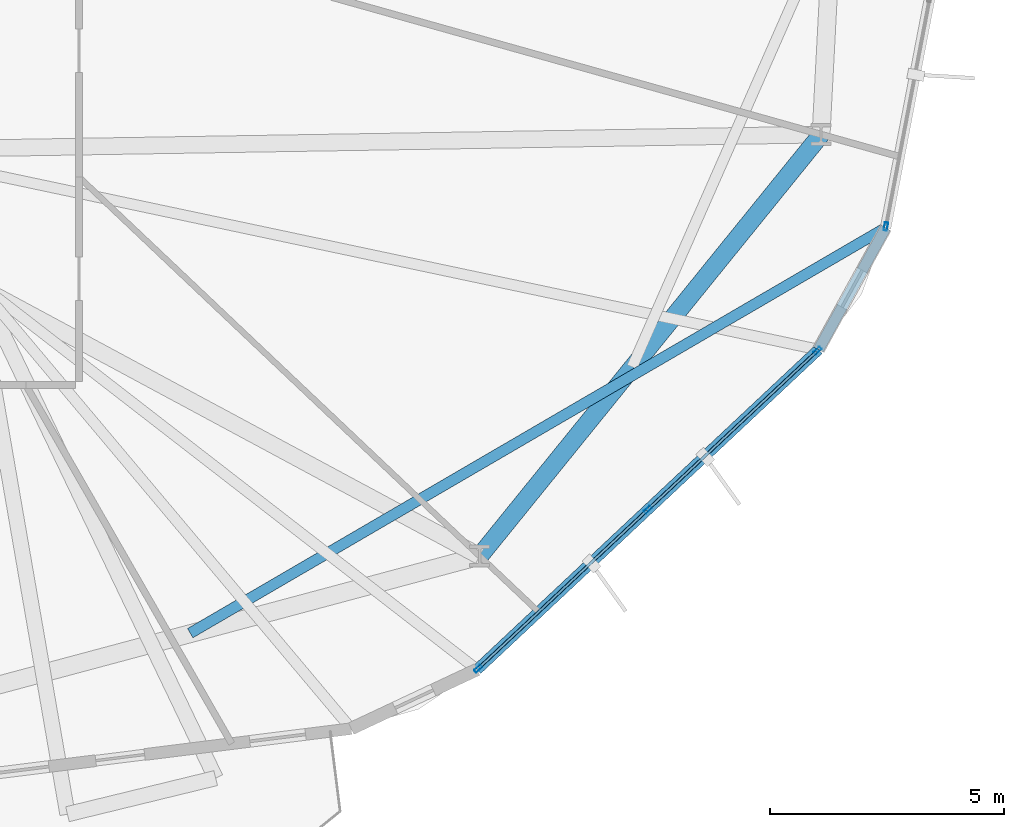
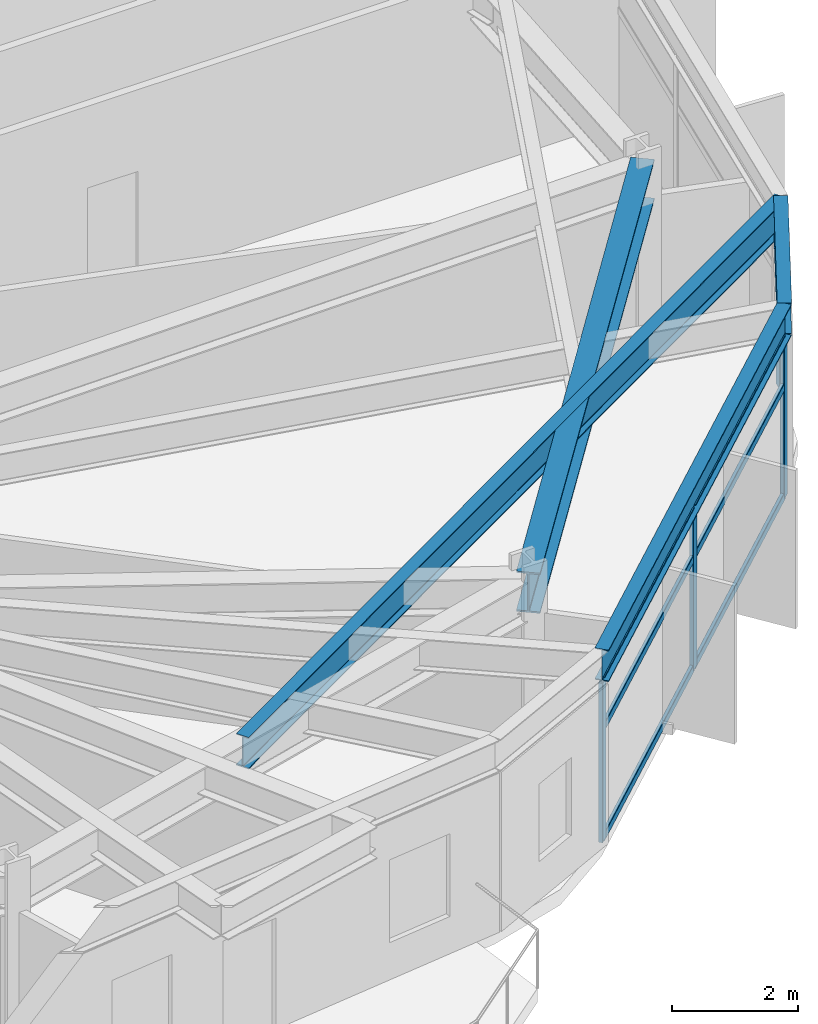
# One storey, part 8 of 22: 10 members, 4 beams, 2 elements without a shape of their own.
"""IFC4 building model written with IfcOpenShell, lengths in metres."""

import ifcopenshell
import ifcopenshell.guid

model = None  # the IFC model being written
_history = None  # IfcOwnerHistory: only IFC2X3 demands one
_inside = {}  # id of a spatial element -> (the spatial element, [elements in it])
_under = {}  # id of a project, library or spatial element -> (it, [spatial elements below it])
_declared = {}  # id of a project -> (the project, [libraries it declares])
_typed = {}  # id of a type object -> (the type object, [elements of that type])
_made_of = {}  # id of a material, layer set ... -> (it, [elements and type objects made of it])


def new_model(schema):
    """Start an empty IFC model of exactly this schema.

    Asked for "IFC4X3", IfcOpenShell would pick the latest addendum, in which some entities
    have other attributes; the version numbers below select the first issue.
    IFC2X3 requires an IfcOwnerHistory on every rooted entity: one is made here for all.
    """
    global model, _history
    if schema == "IFC4X3":
        model = ifcopenshell.file(schema_version=(4, 3, 0, 0))
    else:
        model = ifcopenshell.file(schema=schema)
    _inside.clear()
    _under.clear()
    _declared.clear()
    _typed.clear()
    _made_of.clear()
    _history = None
    if model.schema == "IFC2X3":
        org = make("IfcOrganization", Name="unknown")
        user = make(
            "IfcPersonAndOrganization",
            ThePerson=make("IfcPerson", FamilyName="unknown"),
            TheOrganization=org,
        )
        app = make(
            "IfcApplication",
            ApplicationDeveloper=org,
            Version="unknown",
            ApplicationFullName="unknown",
            ApplicationIdentifier="unknown",
        )
        _history = make(
            "IfcOwnerHistory",
            OwningUser=user,
            OwningApplication=app,
            ChangeAction="ADDED",
            CreationDate=0,
        )
    return model


def make(cls, **values):
    """One entity of the class cls with the attributes given. An attribute that is None is left unset."""
    return model.create_entity(
        cls, **{name: value for name, value in values.items() if value is not None}
    )


def rooted(cls, **values):
    """An entity with a GlobalId (a new one), such as an element, a storey or a relation."""
    return make(cls, GlobalId=ifcopenshell.guid.new(), OwnerHistory=_history, **values)


def si_unit(unit_type, name, prefix=None):
    """IfcSIUnit, for example si_unit("LENGTHUNIT", "METRE", prefix="MILLI")."""
    return make("IfcSIUnit", UnitType=unit_type, Prefix=prefix, Name=name)


def assignment(units):
    """IfcUnitAssignment: the units of a project."""
    return None if units is None else make("IfcUnitAssignment", Units=units)


def point(xyz):
    """IfcCartesianPoint."""
    return None if xyz is None else make("IfcCartesianPoint", Coordinates=xyz)


def direction(xyz):
    """IfcDirection."""
    return None if xyz is None else make("IfcDirection", DirectionRatios=xyz)


def frame(location, z_axis=None, x_axis=None):
    """IfcAxis2Placement3D, a coordinate frame: its origin and axes. An axis left out is left unset."""
    return make(
        "IfcAxis2Placement3D",
        Location=point(location),
        Axis=direction(z_axis),
        RefDirection=direction(x_axis),
    )


def frame_2d(location, x_axis=None):
    """IfcAxis2Placement2D, a coordinate frame in the plane: its origin and x axis."""
    return make(
        "IfcAxis2Placement2D", Location=point(location), RefDirection=direction(x_axis)
    )


def origin():
    """The frame at (0, 0, 0) with its axes left unset."""
    return frame((0.0, 0.0, 0.0))


def origin_2d():
    """The frame at (0, 0) in the plane with its x axis left unset."""
    return frame_2d((0.0, 0.0))


def place(relative_to, where):
    """IfcLocalPlacement: puts the frame where relative to a parent placement (None: the world)."""
    return make(
        "IfcLocalPlacement", PlacementRelTo=relative_to, RelativePlacement=where
    )


def context(
    kind, dimensions, precision=None, world=None, true_north=None, identifier=None
):
    """IfcGeometricRepresentationContext, for example the 3D "Model" context."""
    return make(
        "IfcGeometricRepresentationContext",
        ContextIdentifier=identifier,
        ContextType=kind,
        CoordinateSpaceDimension=dimensions,
        Precision=precision,
        WorldCoordinateSystem=world,
        TrueNorth=true_north,
    )


def subcontext(parent, identifier, kind, view, scale=None):
    """IfcGeometricRepresentationSubContext, for example "Body" below "Model"."""
    return make(
        "IfcGeometricRepresentationSubContext",
        ContextIdentifier=identifier,
        ContextType=kind,
        ParentContext=parent,
        TargetScale=scale,
        TargetView=view,
    )


def project(units=None, contexts=None):
    """IfcProject with its units and contexts."""
    return rooted(
        "IfcProject",
        Name="project",
        RepresentationContexts=contexts,
        UnitsInContext=assignment(units),
    )


def spatial(cls, under=None, at=None, **own):
    """A site, building, storey or space (cls), placed at a placement, below another one or the project."""
    s = rooted(cls, ObjectPlacement=at, **own)
    if under is not None:
        _under.setdefault(under.id(), (under, []))[1].append(s)
    return s


def profile(cls, at=None, kind="AREA", **sizes):
    """A parametric profile (cls). Its sizes go by their IFC names, for example OverallWidth=200.0."""
    return make(cls, ProfileType=kind, Position=at, **sizes)


def hollow_rectangle(**sizes):
    """IfcRectangleHollowProfileDef."""
    return profile("IfcRectangleHollowProfileDef", **sizes)


def i_section(**sizes):
    """IfcIShapeProfileDef."""
    return profile("IfcIShapeProfileDef", **sizes)


def extrude(swept, where, along, depth):
    """IfcExtrudedAreaSolid: the profile swept, set in the frame where, extruded along a direction by depth."""
    return make(
        "IfcExtrudedAreaSolid",
        SweptArea=swept,
        Position=where,
        ExtrudedDirection=direction(along),
        Depth=depth,
    )


def shape(context_of_items, identifier, shape_type, items):
    """IfcShapeRepresentation: the items that make up one representation, for example the "Body"."""
    return make(
        "IfcShapeRepresentation",
        ContextOfItems=context_of_items,
        RepresentationIdentifier=identifier,
        RepresentationType=shape_type,
        Items=items,
    )


def material(Name=None, Category=None):
    """IfcMaterial."""
    return make("IfcMaterial", Name=Name, Category=Category)


def layer(
    of_material, thickness, ventilated=None, Name=None, Category=None, Priority=None
):
    """IfcMaterialLayer: one layer of a wall or slab, of a material (None: an air gap)."""
    return make(
        "IfcMaterialLayer",
        Material=of_material,
        LayerThickness=thickness,
        IsVentilated=ventilated,
        Name=Name,
        Category=Category,
        Priority=Priority,
    )


def layer_set(layers, Name=None):
    """IfcMaterialLayerSet."""
    return make("IfcMaterialLayerSet", MaterialLayers=layers, LayerSetName=Name)


def material_profile(
    of_material, cross_section, Name=None, Category=None, Priority=None
):
    """IfcMaterialProfile: a cross section and its material."""
    return make(
        "IfcMaterialProfile",
        Name=Name,
        Material=of_material,
        Profile=cross_section,
        Priority=Priority,
        Category=Category,
    )


def profile_set(profiles, Name=None, composite=None):
    """IfcMaterialProfileSet."""
    return make(
        "IfcMaterialProfileSet",
        Name=Name,
        MaterialProfiles=profiles,
        CompositeProfile=composite,
    )


def made_of(thing, what):
    """Note that an element or type object is made of a material, layer set ...; save() writes the relation."""
    if what is not None:
        _made_of.setdefault(what.id(), (what, []))[1].append(thing)
    return thing


def type_object(cls, material=None, **own):
    """A type object (cls), such as IfcWallType, which elements share."""
    return made_of(rooted(cls, **own), material)


def element(
    cls,
    number,
    at=None,
    inside=None,
    cuts=None,
    type_object=None,
    material=None,
    context=None,
    identifier="Body",
    shape_type=None,
    held_by="IfcProductDefinitionShape",
    body=None,
    shapes=None,
    **own,
):
    """One element of the class cls, such as IfcWall. Its Tag is "e" and its number.

    at: its placement. inside: the storey or other place that contains it. cuts: it is an
    opening in that element (IfcRelVoidsElement). A single representation is given by context,
    identifier, shape_type and body (its items); several are given by shapes. held_by: the class
    of the entity that holds the representations. save() writes the other relations.
    """
    e = rooted(cls, Tag="e%d" % number, ObjectPlacement=at, **own)
    if body is not None:
        shapes = [shape(context, identifier, shape_type, body)]
    if shapes is not None:
        e.Representation = make(held_by, Representations=shapes)
    if inside is not None:
        _inside.setdefault(inside.id(), (inside, []))[1].append(e)
    if cuts is not None:
        rooted(
            "IfcRelVoidsElement", RelatingBuildingElement=cuts, RelatedOpeningElement=e
        )
    if type_object is not None:
        _typed.setdefault(type_object.id(), (type_object, []))[1].append(e)
    return made_of(e, material)


def aggregate(whole, parts):
    """IfcRelAggregates: a whole, such as a stair, and the parts it consists of."""
    return rooted("IfcRelAggregates", RelatingObject=whole, RelatedObjects=parts)


def save(model, path):
    """Write the relations noted so far, then the file.

    IfcRelAggregates (storeys below a building ...), IfcRelContainedInSpatialStructure (elements
    in a storey), IfcRelDefinesByType, IfcRelAssociatesMaterial and IfcRelDeclares: one each for
    every whole, place, type object, material and project.
    """
    for whole, parts in _under.values():
        aggregate(whole, parts)
    for where, things in _inside.values():
        rooted(
            "IfcRelContainedInSpatialStructure",
            RelatedElements=things,
            RelatingStructure=where,
        )
    for kind, things in _typed.values():
        rooted("IfcRelDefinesByType", RelatedObjects=things, RelatingType=kind)
    for what, things in _made_of.values():
        rooted("IfcRelAssociatesMaterial", RelatedObjects=things, RelatingMaterial=what)
    for by, libraries in _declared.values():
        rooted("IfcRelDeclares", RelatingContext=by, RelatedDefinitions=libraries)
    model.write(path)


model = new_model("IFC4")

# Units and contexts
model_context = context("Model", 3, precision=1e-05, world=origin(), true_north=direction((0.0, 1.0)))
body_context = subcontext(model_context, "Body", "Model", "MODEL_VIEW")
ifc_project = project(units=[si_unit("LENGTHUNIT", "METRE"), si_unit("AREAUNIT", "SQUARE_METRE"), si_unit("VOLUMEUNIT", "CUBIC_METRE"), si_unit("PLANEANGLEUNIT", "RADIAN"), si_unit("MASSUNIT", "GRAM", prefix="KILO")], contexts=[model_context])

# Site, building, storey
site_placement = place(None, origin())
site = spatial("IfcSite", under=ifc_project, at=site_placement, CompositionType="ELEMENT")
building_placement = place(site_placement, origin())
building = spatial("IfcBuilding", under=site, at=building_placement, Name="Soratama Intermodal Tower", CompositionType="ELEMENT")
storey_placement = place(building_placement, frame((0.0, 0.0, 54.60009765625)))
storey = spatial("IfcBuildingStorey", under=building, at=storey_placement, Name="L12", CompositionType="ELEMENT", Elevation=54.60009765625)

# Beams
ifc_material_1 = material(Name="Structural steel ASTM A992 Grade 50", Category="steel")
ifc_material_profile_1 = material_profile(ifc_material_1, i_section(OverallWidth=0.382080078125, OverallDepth=0.779052734375, WebThickness=0.01806640625, FlangeThickness=0.030029296875, FilletRadius=0.01806640625, at=origin_2d()), Name="W30X191")
ifc_profile_set_1 = profile_set([ifc_material_profile_1], Name="Structural steel ASTM A992 Grade 50")
beam_type_1 = type_object("IfcBeamType", Name="BM-RING-W30X191", PredefinedType="BEAM", material=ifc_profile_set_1)
beam_1_placement = place(storey_placement, frame((55.196044921875, 9.300048828125, 3.310302734375), z_axis=(0.629334198857, 0.777134779912, 0.0), x_axis=(-0.777134779912, 0.629334198857, 0.0)))
element("IfcBeam", 1, at=beam_1_placement, inside=storey, type_object=beam_type_1, Name="BM-L12-RING-09", PredefinedType="BEAM", context=body_context, shape_type="SweptSolid", body=[
    extrude(i_section(OverallWidth=0.382080078125, OverallDepth=0.779052734375, WebThickness=0.01806640625, FlangeThickness=0.030029296875, FilletRadius=0.01806640625, at=origin_2d()), origin(), (0.0, 0.0, 1.0), 11.5693359375),
])
ifc_material_2 = material(Name="Structural steel ASTM A992 Grade 50", Category="steel")
ifc_material_profile_2 = material_profile(ifc_material_2, i_section(OverallWidth=0.22900390625, OverallDepth=0.612060546875, WebThickness=0.011962890625, FlangeThickness=0.01953125, FilletRadius=0.012939453125, at=origin_2d()), Name="W24X84")
ifc_profile_set_2 = profile_set([ifc_material_profile_2], Name="Structural steel ASTM A992 Grade 50")
beam_type_2 = type_object("IfcBeamType", Name="BM-SPN-W24X84", PredefinedType="SPANDREL", material=ifc_profile_set_2)
beam_2_placement = place(storey_placement, frame((55.14208984375, 6.8798828125, 3.393798828125), z_axis=(0.729623411205, 0.683849163062, 0.0), x_axis=(-0.683849163062, 0.729623411205, 0.0)))
element("IfcBeam", 2, at=beam_2_placement, inside=storey, type_object=beam_type_2, Name="BS-L12-F09", PredefinedType="SPANDREL", context=body_context, shape_type="SweptSolid", body=[
    extrude(i_section(OverallWidth=0.22900390625, OverallDepth=0.612060546875, WebThickness=0.011962890625, FlangeThickness=0.01953125, FilletRadius=0.012939453125, at=origin_2d()), origin(), (0.0, 0.0, 1.0), 9.979248046875),
])
beam_3_placement = place(storey_placement, frame((62.423095703125, 13.7041015625, 3.393798828125), z_axis=(0.482705249148, 0.87578287403, 0.0), x_axis=(-0.87578287403, 0.482705249148, 0.0)))
element("IfcBeam", 3, at=beam_3_placement, inside=storey, type_object=beam_type_2, Name="BS-L12-CRN09", PredefinedType="SPANDREL", context=body_context, shape_type="SweptSolid", body=[
    extrude(i_section(OverallWidth=0.22900390625, OverallDepth=0.612060546875, WebThickness=0.011962890625, FlangeThickness=0.01953125, FilletRadius=0.012939453125, at=origin_2d()), origin(), (0.0, 0.0, 1.0), 2.96630859375),
])
ifc_material_3 = material(Name="Structural steel ASTM A992 Grade 50", Category="steel")
ifc_material_profile_3 = material_profile(ifc_material_3, i_section(OverallWidth=0.22900390625, OverallDepth=0.612060546875, WebThickness=0.011962890625, FlangeThickness=0.01953125, FilletRadius=0.012939453125, at=origin_2d()), Name="W24X84")
ifc_profile_set_3 = profile_set([ifc_material_profile_3], Name="Structural steel ASTM A992 Grade 50")
beam_type_3 = type_object("IfcBeamType", Name="BM-TIE-W24X84", PredefinedType="BEAM", material=ifc_profile_set_3)
beam_4_placement = place(storey_placement, frame((49.02294921875, 7.656982421875, 3.393798828125), z_axis=(0.863956278695, 0.503566826254, 0.0), x_axis=(-0.503566826254, 0.863956278695, 0.0)))
element("IfcBeam", 4, at=beam_4_placement, inside=storey, type_object=beam_type_3, Name="BM-L12-TIE0-10", PredefinedType="BEAM", context=body_context, shape_type="SweptSolid", body=[
    extrude(i_section(OverallWidth=0.22900390625, OverallDepth=0.612060546875, WebThickness=0.011962890625, FlangeThickness=0.01953125, FilletRadius=0.012939453125, at=origin_2d()), origin(), (0.0, 0.0, 1.0), 17.16748046875),
])

# Curtain wall, members
ifc_material_4 = material(Name="Double-glazed aluminium curtain wall", Category="aluminium")
ifc_layer = layer(ifc_material_4, 0.159912109375)
ifc_layer_set = layer_set([ifc_layer], Name="Double-glazed aluminium curtain wall")
curtain_wall_type = type_object("IfcCurtainWallType", Name="CW-SYS-2", PredefinedType="NOTDEFINED", material=ifc_layer_set)
curtain_wall_1_placement = place(storey_placement, origin())
curtain_wall_1 = element("IfcCurtainWall", 5, at=curtain_wall_1_placement, inside=storey, type_object=curtain_wall_type, Name="L12 Faceted Curtain Wall F09", PredefinedType="NOTDEFINED")
ifc_material_5 = material(Name="Anodised aluminium AA 6063-T6", Category="aluminium")
ifc_material_profile_4 = material_profile(ifc_material_5, hollow_rectangle(XDim=0.074951171875, YDim=0.179931640625, WallThickness=0.006103515625, InnerFilletRadius=0.006103515625, OuterFilletRadius=0.011962890625, at=origin_2d()), Name="CWM180X75X6")
ifc_profile_set_4 = profile_set([ifc_material_profile_4], Name="Anodised aluminium AA 6063-T6")
member_type_1 = type_object("IfcMemberType", Name="MT-CWM-2", PredefinedType="MULLION", material=ifc_profile_set_4)
member_1_placement = place(storey_placement, frame((55.16357421875, 6.901123046875, 0.0), z_axis=(0.0, 0.0, 1.0), x_axis=(-0.683786445745, 0.729682188775, 0.0)))
member_1 = element("IfcMember", 6, at=member_1_placement, type_object=member_type_1, Name="CW-2 mullion 1", PredefinedType="MULLION", context=body_context, shape_type="SweptSolid", body=[
    extrude(hollow_rectangle(XDim=0.074951171875, YDim=0.179931640625, WallThickness=0.006103515625, InnerFilletRadius=0.006103515625, OuterFilletRadius=0.011962890625, at=origin_2d()), origin(), (0.0, 0.0, 1.0), 3.078857421875),
])
member_2_placement = place(storey_placement, frame((58.782470703125, 10.292236328125, 0.0), z_axis=(0.0, 0.0, 1.0), x_axis=(-0.683786445745, 0.729682188775, 0.0)))
member_2 = element("IfcMember", 7, at=member_2_placement, type_object=member_type_1, Name="CW-2 mullion 2", PredefinedType="MULLION", context=body_context, shape_type="SweptSolid", body=[
    extrude(hollow_rectangle(XDim=0.074951171875, YDim=0.179931640625, WallThickness=0.006103515625, InnerFilletRadius=0.006103515625, OuterFilletRadius=0.011962890625, at=origin_2d()), origin(), (0.0, 0.0, 1.0), 3.078857421875),
])
member_3_placement = place(storey_placement, frame((62.4013671875, 13.68359375, 0.0), z_axis=(0.0, 0.0, 1.0), x_axis=(-0.683786445745, 0.729682188775, 0.0)))
member_3 = element("IfcMember", 8, at=member_3_placement, type_object=member_type_1, Name="CW-2 mullion 3", PredefinedType="MULLION", context=body_context, shape_type="SweptSolid", body=[
    extrude(hollow_rectangle(XDim=0.074951171875, YDim=0.179931640625, WallThickness=0.006103515625, InnerFilletRadius=0.006103515625, OuterFilletRadius=0.011962890625, at=origin_2d()), origin(), (0.0, 0.0, 1.0), 3.078857421875),
])

# Curtain wall, member
curtain_wall_2_placement = place(storey_placement, origin())
curtain_wall_2 = element("IfcCurtainWall", 9, at=curtain_wall_2_placement, inside=storey, type_object=curtain_wall_type, Name="L12 Faceted Curtain Wall F10", PredefinedType="NOTDEFINED")
member_4_placement = place(storey_placement, frame((63.86083984375, 16.33154296875, 0.0), z_axis=(0.0, 0.0, 1.0), x_axis=(-0.982091333339, 0.188405448385, 0.0)))
member_4 = element("IfcMember", 10, at=member_4_placement, type_object=member_type_1, Name="CW-2 mullion 1", PredefinedType="MULLION", context=body_context, shape_type="SweptSolid", body=[
    extrude(hollow_rectangle(XDim=0.074951171875, YDim=0.179931640625, WallThickness=0.006103515625, InnerFilletRadius=0.006103515625, OuterFilletRadius=0.011962890625, at=origin_2d()), origin(), (0.0, 0.0, 1.0), 3.078857421875),
])
aggregate(curtain_wall_2, [member_4])

# Member
ifc_material_6 = material(Name="Anodised aluminium AA 6063-T6", Category="aluminium")
ifc_material_profile_5 = material_profile(ifc_material_6, hollow_rectangle(XDim=0.06494140625, YDim=0.14990234375, WallThickness=0.0048828125, InnerFilletRadius=0.0048828125, OuterFilletRadius=0.010009765625, at=origin_2d()), Name="CWT150X65X5")
ifc_profile_set_5 = profile_set([ifc_material_profile_5], Name="Anodised aluminium AA 6063-T6")
member_type_2 = type_object("IfcMemberType", Name="TT-CWT-1", PredefinedType="USERDEFINED", material=ifc_profile_set_5)
member_5_placement = place(storey_placement, frame((55.185546875, 6.921630859375, 0.02978515625), z_axis=(0.729681709376, 0.683786957321, 0.0), x_axis=(-0.683786957321, 0.729681709376, 0.0)))
member_5 = element("IfcMember", 11, at=member_5_placement, type_object=member_type_2, Name="CW-2 transom 1.1", ObjectType="TRANSOM", PredefinedType="USERDEFINED", context=body_context, shape_type="SweptSolid", body=[
    extrude(hollow_rectangle(XDim=0.06494140625, YDim=0.14990234375, WallThickness=0.0048828125, InnerFilletRadius=0.0048828125, OuterFilletRadius=0.010009765625, at=origin_2d()), origin(), (0.0, 0.0, 1.0), 4.8994140625),
])

member_6_placement = place(storey_placement, frame((55.185546875, 6.921630859375, 2.14990234375), z_axis=(0.729681709376, 0.683786957321, 0.0), x_axis=(-0.683786957321, 0.729681709376, 0.0)))
member_6 = element("IfcMember", 12, at=member_6_placement, type_object=member_type_2, Name="CW-2 transom 1.2", ObjectType="TRANSOM", PredefinedType="USERDEFINED", context=body_context, shape_type="SweptSolid", body=[
    extrude(hollow_rectangle(XDim=0.06494140625, YDim=0.14990234375, WallThickness=0.0048828125, InnerFilletRadius=0.0048828125, OuterFilletRadius=0.010009765625, at=origin_2d()), origin(), (0.0, 0.0, 1.0), 4.8994140625),
])

member_7_placement = place(storey_placement, frame((55.185546875, 6.921630859375, 3.048828125), z_axis=(0.729681709376, 0.683786957321, 0.0), x_axis=(-0.683786957321, 0.729681709376, 0.0)))
member_7 = element("IfcMember", 13, at=member_7_placement, type_object=member_type_2, Name="CW-2 transom 1.3", ObjectType="TRANSOM", PredefinedType="USERDEFINED", context=body_context, shape_type="SweptSolid", body=[
    extrude(hollow_rectangle(XDim=0.06494140625, YDim=0.14990234375, WallThickness=0.0048828125, InnerFilletRadius=0.0048828125, OuterFilletRadius=0.010009765625, at=origin_2d()), origin(), (0.0, 0.0, 1.0), 4.8994140625),
])

member_8_placement = place(storey_placement, frame((58.804443359375, 10.312744140625, 0.02978515625), z_axis=(0.729680145662, 0.683788625985, 0.0), x_axis=(-0.683788625985, 0.729680145662, 0.0)))
member_8 = element("IfcMember", 14, at=member_8_placement, type_object=member_type_2, Name="CW-2 transom 2.1", ObjectType="TRANSOM", PredefinedType="USERDEFINED", context=body_context, shape_type="SweptSolid", body=[
    extrude(hollow_rectangle(XDim=0.06494140625, YDim=0.14990234375, WallThickness=0.0048828125, InnerFilletRadius=0.0048828125, OuterFilletRadius=0.010009765625, at=origin_2d()), origin(), (0.0, 0.0, 1.0), 4.899658203125),
])

member_9_placement = place(storey_placement, frame((58.804443359375, 10.312744140625, 2.14990234375), z_axis=(0.729680145662, 0.683788625985, 0.0), x_axis=(-0.683788625985, 0.729680145662, 0.0)))
member_9 = element("IfcMember", 15, at=member_9_placement, type_object=member_type_2, Name="CW-2 transom 2.2", ObjectType="TRANSOM", PredefinedType="USERDEFINED", context=body_context, shape_type="SweptSolid", body=[
    extrude(hollow_rectangle(XDim=0.06494140625, YDim=0.14990234375, WallThickness=0.0048828125, InnerFilletRadius=0.0048828125, OuterFilletRadius=0.010009765625, at=origin_2d()), origin(), (0.0, 0.0, 1.0), 4.899658203125),
])

member_10_placement = place(storey_placement, frame((58.804443359375, 10.312744140625, 3.048828125), z_axis=(0.729680145662, 0.683788625985, 0.0), x_axis=(-0.683788625985, 0.729680145662, 0.0)))
member_10 = element("IfcMember", 16, at=member_10_placement, type_object=member_type_2, Name="CW-2 transom 2.3", ObjectType="TRANSOM", PredefinedType="USERDEFINED", context=body_context, shape_type="SweptSolid", body=[
    extrude(hollow_rectangle(XDim=0.06494140625, YDim=0.14990234375, WallThickness=0.0048828125, InnerFilletRadius=0.0048828125, OuterFilletRadius=0.010009765625, at=origin_2d()), origin(), (0.0, 0.0, 1.0), 4.899658203125),
])

aggregate(curtain_wall_1, [member_1, member_2, member_3, member_5, member_6, member_7, member_8, member_9, member_10])

save(model, "model.ifc")
